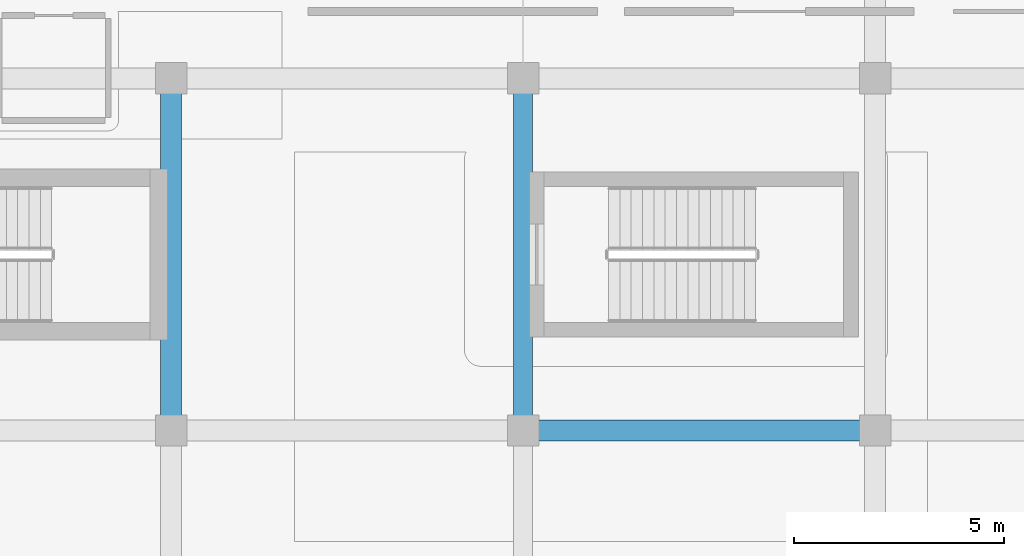
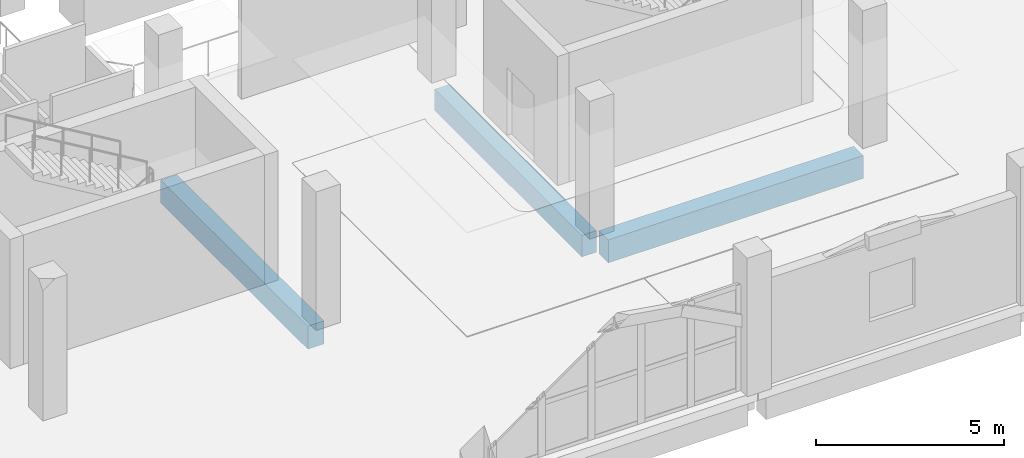
# One storey, part 6 of 34: 3 beams.
"""IFC4 building model written with IfcOpenShell, lengths in metres."""

import ifcopenshell
import ifcopenshell.guid

model = None  # the IFC model being written
_history = None  # IfcOwnerHistory: only IFC2X3 demands one
_inside = {}  # id of a spatial element -> (the spatial element, [elements in it])
_under = {}  # id of a project, library or spatial element -> (it, [spatial elements below it])
_declared = {}  # id of a project -> (the project, [libraries it declares])
_typed = {}  # id of a type object -> (the type object, [elements of that type])
_made_of = {}  # id of a material, layer set ... -> (it, [elements and type objects made of it])


def new_model(schema):
    """Start an empty IFC model of exactly this schema.

    Asked for "IFC4X3", IfcOpenShell would pick the latest addendum, in which some entities
    have other attributes; the version numbers below select the first issue.
    IFC2X3 requires an IfcOwnerHistory on every rooted entity: one is made here for all.
    """
    global model, _history
    if schema == "IFC4X3":
        model = ifcopenshell.file(schema_version=(4, 3, 0, 0))
    else:
        model = ifcopenshell.file(schema=schema)
    _inside.clear()
    _under.clear()
    _declared.clear()
    _typed.clear()
    _made_of.clear()
    _history = None
    if model.schema == "IFC2X3":
        org = make("IfcOrganization", Name="unknown")
        user = make(
            "IfcPersonAndOrganization",
            ThePerson=make("IfcPerson", FamilyName="unknown"),
            TheOrganization=org,
        )
        app = make(
            "IfcApplication",
            ApplicationDeveloper=org,
            Version="unknown",
            ApplicationFullName="unknown",
            ApplicationIdentifier="unknown",
        )
        _history = make(
            "IfcOwnerHistory",
            OwningUser=user,
            OwningApplication=app,
            ChangeAction="ADDED",
            CreationDate=0,
        )
    return model


def make(cls, **values):
    """One entity of the class cls with the attributes given. An attribute that is None is left unset."""
    return model.create_entity(
        cls, **{name: value for name, value in values.items() if value is not None}
    )


def rooted(cls, **values):
    """An entity with a GlobalId (a new one), such as an element, a storey or a relation."""
    return make(cls, GlobalId=ifcopenshell.guid.new(), OwnerHistory=_history, **values)


def si_unit(unit_type, name, prefix=None):
    """IfcSIUnit, for example si_unit("LENGTHUNIT", "METRE", prefix="MILLI")."""
    return make("IfcSIUnit", UnitType=unit_type, Prefix=prefix, Name=name)


def assignment(units):
    """IfcUnitAssignment: the units of a project."""
    return None if units is None else make("IfcUnitAssignment", Units=units)


def point(xyz):
    """IfcCartesianPoint."""
    return None if xyz is None else make("IfcCartesianPoint", Coordinates=xyz)


def direction(xyz):
    """IfcDirection."""
    return None if xyz is None else make("IfcDirection", DirectionRatios=xyz)


def frame(location, z_axis=None, x_axis=None):
    """IfcAxis2Placement3D, a coordinate frame: its origin and axes. An axis left out is left unset."""
    return make(
        "IfcAxis2Placement3D",
        Location=point(location),
        Axis=direction(z_axis),
        RefDirection=direction(x_axis),
    )


def frame_2d(location, x_axis=None):
    """IfcAxis2Placement2D, a coordinate frame in the plane: its origin and x axis."""
    return make(
        "IfcAxis2Placement2D", Location=point(location), RefDirection=direction(x_axis)
    )


def origin():
    """The frame at (0, 0, 0) with its axes left unset."""
    return frame((0.0, 0.0, 0.0))


def origin_2d():
    """The frame at (0, 0) in the plane with its x axis left unset."""
    return frame_2d((0.0, 0.0))


def place(relative_to, where):
    """IfcLocalPlacement: puts the frame where relative to a parent placement (None: the world)."""
    return make(
        "IfcLocalPlacement", PlacementRelTo=relative_to, RelativePlacement=where
    )


def context(
    kind, dimensions, precision=None, world=None, true_north=None, identifier=None
):
    """IfcGeometricRepresentationContext, for example the 3D "Model" context."""
    return make(
        "IfcGeometricRepresentationContext",
        ContextIdentifier=identifier,
        ContextType=kind,
        CoordinateSpaceDimension=dimensions,
        Precision=precision,
        WorldCoordinateSystem=world,
        TrueNorth=true_north,
    )


def subcontext(parent, identifier, kind, view, scale=None):
    """IfcGeometricRepresentationSubContext, for example "Body" below "Model"."""
    return make(
        "IfcGeometricRepresentationSubContext",
        ContextIdentifier=identifier,
        ContextType=kind,
        ParentContext=parent,
        TargetScale=scale,
        TargetView=view,
    )


def project(units=None, contexts=None):
    """IfcProject with its units and contexts."""
    return rooted(
        "IfcProject",
        Name="project",
        RepresentationContexts=contexts,
        UnitsInContext=assignment(units),
    )


def spatial(cls, under=None, at=None, **own):
    """A site, building, storey or space (cls), placed at a placement, below another one or the project."""
    s = rooted(cls, ObjectPlacement=at, **own)
    if under is not None:
        _under.setdefault(under.id(), (under, []))[1].append(s)
    return s


def profile(cls, at=None, kind="AREA", **sizes):
    """A parametric profile (cls). Its sizes go by their IFC names, for example OverallWidth=200.0."""
    return make(cls, ProfileType=kind, Position=at, **sizes)


def rectangle(**sizes):
    """IfcRectangleProfileDef."""
    return profile("IfcRectangleProfileDef", **sizes)


def extrude(swept, where, along, depth):
    """IfcExtrudedAreaSolid: the profile swept, set in the frame where, extruded along a direction by depth."""
    return make(
        "IfcExtrudedAreaSolid",
        SweptArea=swept,
        Position=where,
        ExtrudedDirection=direction(along),
        Depth=depth,
    )


def shape(context_of_items, identifier, shape_type, items):
    """IfcShapeRepresentation: the items that make up one representation, for example the "Body"."""
    return make(
        "IfcShapeRepresentation",
        ContextOfItems=context_of_items,
        RepresentationIdentifier=identifier,
        RepresentationType=shape_type,
        Items=items,
    )


def material(Name=None, Category=None):
    """IfcMaterial."""
    return make("IfcMaterial", Name=Name, Category=Category)


def material_profile(
    of_material, cross_section, Name=None, Category=None, Priority=None
):
    """IfcMaterialProfile: a cross section and its material."""
    return make(
        "IfcMaterialProfile",
        Name=Name,
        Material=of_material,
        Profile=cross_section,
        Priority=Priority,
        Category=Category,
    )


def profile_set(profiles, Name=None, composite=None):
    """IfcMaterialProfileSet."""
    return make(
        "IfcMaterialProfileSet",
        Name=Name,
        MaterialProfiles=profiles,
        CompositeProfile=composite,
    )


def made_of(thing, what):
    """Note that an element or type object is made of a material, layer set ...; save() writes the relation."""
    if what is not None:
        _made_of.setdefault(what.id(), (what, []))[1].append(thing)
    return thing


def type_object(cls, material=None, **own):
    """A type object (cls), such as IfcWallType, which elements share."""
    return made_of(rooted(cls, **own), material)


def element(
    cls,
    number,
    at=None,
    inside=None,
    cuts=None,
    type_object=None,
    material=None,
    context=None,
    identifier="Body",
    shape_type=None,
    held_by="IfcProductDefinitionShape",
    body=None,
    shapes=None,
    **own,
):
    """One element of the class cls, such as IfcWall. Its Tag is "e" and its number.

    at: its placement. inside: the storey or other place that contains it. cuts: it is an
    opening in that element (IfcRelVoidsElement). A single representation is given by context,
    identifier, shape_type and body (its items); several are given by shapes. held_by: the class
    of the entity that holds the representations. save() writes the other relations.
    """
    e = rooted(cls, Tag="e%d" % number, ObjectPlacement=at, **own)
    if body is not None:
        shapes = [shape(context, identifier, shape_type, body)]
    if shapes is not None:
        e.Representation = make(held_by, Representations=shapes)
    if inside is not None:
        _inside.setdefault(inside.id(), (inside, []))[1].append(e)
    if cuts is not None:
        rooted(
            "IfcRelVoidsElement", RelatingBuildingElement=cuts, RelatedOpeningElement=e
        )
    if type_object is not None:
        _typed.setdefault(type_object.id(), (type_object, []))[1].append(e)
    return made_of(e, material)


def aggregate(whole, parts):
    """IfcRelAggregates: a whole, such as a stair, and the parts it consists of."""
    return rooted("IfcRelAggregates", RelatingObject=whole, RelatedObjects=parts)


def save(model, path):
    """Write the relations noted so far, then the file.

    IfcRelAggregates (storeys below a building ...), IfcRelContainedInSpatialStructure (elements
    in a storey), IfcRelDefinesByType, IfcRelAssociatesMaterial and IfcRelDeclares: one each for
    every whole, place, type object, material and project.
    """
    for whole, parts in _under.values():
        aggregate(whole, parts)
    for where, things in _inside.values():
        rooted(
            "IfcRelContainedInSpatialStructure",
            RelatedElements=things,
            RelatingStructure=where,
        )
    for kind, things in _typed.values():
        rooted("IfcRelDefinesByType", RelatedObjects=things, RelatingType=kind)
    for what, things in _made_of.values():
        rooted("IfcRelAssociatesMaterial", RelatedObjects=things, RelatingMaterial=what)
    for by, libraries in _declared.values():
        rooted("IfcRelDeclares", RelatingContext=by, RelatedDefinitions=libraries)
    model.write(path)


model = new_model("IFC4")

# Units and contexts
model_context = context("Model", 3, precision=1e-05, world=origin(), true_north=direction((0.0, 1.0)))
body_context = subcontext(model_context, "Body", "Model", "MODEL_VIEW")
ifc_project = project(units=[si_unit("LENGTHUNIT", "METRE"), si_unit("AREAUNIT", "SQUARE_METRE"), si_unit("VOLUMEUNIT", "CUBIC_METRE"), si_unit("PLANEANGLEUNIT", "RADIAN"), si_unit("MASSUNIT", "GRAM", prefix="KILO")], contexts=[model_context])

# Site, building, storey
site_placement = place(None, origin())
site = spatial("IfcSite", under=ifc_project, at=site_placement, CompositionType="ELEMENT")
building_placement = place(site_placement, origin())
building = spatial("IfcBuilding", under=site, at=building_placement, Name="Xazarin Passage Department Store", CompositionType="ELEMENT")
storey_placement = place(building_placement, frame((0.0, 0.0, 18.89990234375)))
storey = spatial("IfcBuildingStorey", under=building, at=storey_placement, Name="L04", CompositionType="ELEMENT", Elevation=18.89990234375)

# Beams
ifc_material = material(Name="Concrete C35/45", Category="concrete")
ifc_material_profile_1 = material_profile(ifc_material, rectangle(XDim=0.449951171875, YDim=0.699951171875, at=origin_2d()), Name="RC 450x700")
ifc_profile_set_1 = profile_set([ifc_material_profile_1], Name="Concrete C35/45")
beam_type_1 = type_object("IfcBeamType", Name="STR-BM-G450x700", PredefinedType="BEAM", material=ifc_profile_set_1)
beam_placement = place(storey_placement, frame((25.199951171875, 76.679931640625, -0.64990234375), z_axis=(0.0, 1.0, 0.0), x_axis=(-1.0, 0.0, 0.0)))
element("IfcBeam", 1, at=beam_placement, inside=storey, type_object=beam_type_1, Name="L04 Grid Beam 4/L-M", PredefinedType="BEAM", context=body_context, shape_type="SweptSolid", body=[
    extrude(rectangle(XDim=0.449951171875, YDim=0.699951171875, at=origin_2d()), origin(), (0.0, 0.0, 1.0), 7.840087890625),
])
ifc_material_profile_2 = material_profile(ifc_material, rectangle(XDim=0.5, YDim=0.75, at=origin_2d()), Name="RC 500x750")
ifc_profile_set_2 = profile_set([ifc_material_profile_2], Name="Concrete C35/45")
beam_type_2 = type_object("IfcBeamType", Name="STR-BM-SP500x750", PredefinedType="SPANDREL", material=ifc_profile_set_2)
for number, where, z_axis, x_axis, name in (
    (2, (25.47998046875, 76.39990234375, -0.6748046875), (1.0, 0.0, 0.0), (0.0, 1.0, 0.0), "L04 Grid Beam L/4-5"),
    (3, (16.800048828125, 76.679931640625, -0.6748046875), (0.0, 1.0, 0.0), (-1.0, 0.0, 0.0), "L04 Grid Beam 3/L-M"),
):
    element("IfcBeam", number, at=place(storey_placement, frame(where, z_axis=z_axis, x_axis=x_axis)), inside=storey, type_object=beam_type_2, Name=name, PredefinedType="SPANDREL", context=body_context, shape_type="SweptSolid", body=[
        extrude(rectangle(XDim=0.5, YDim=0.75, at=origin_2d()), origin(), (0.0, 0.0, 1.0), 7.840087890625),
    ])

save(model, "model.ifc")
